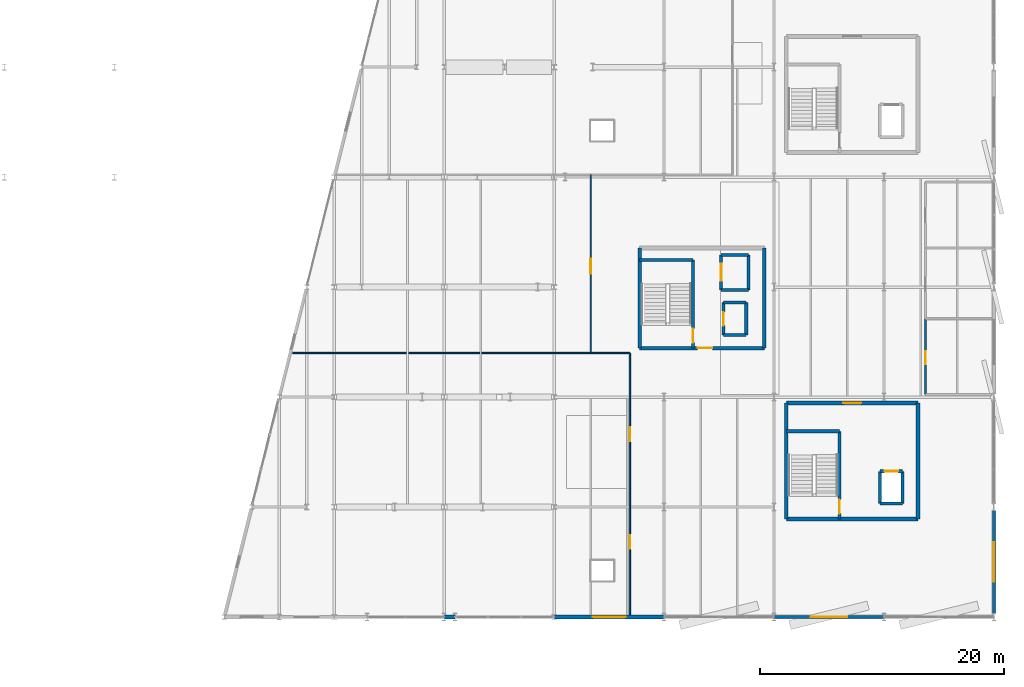
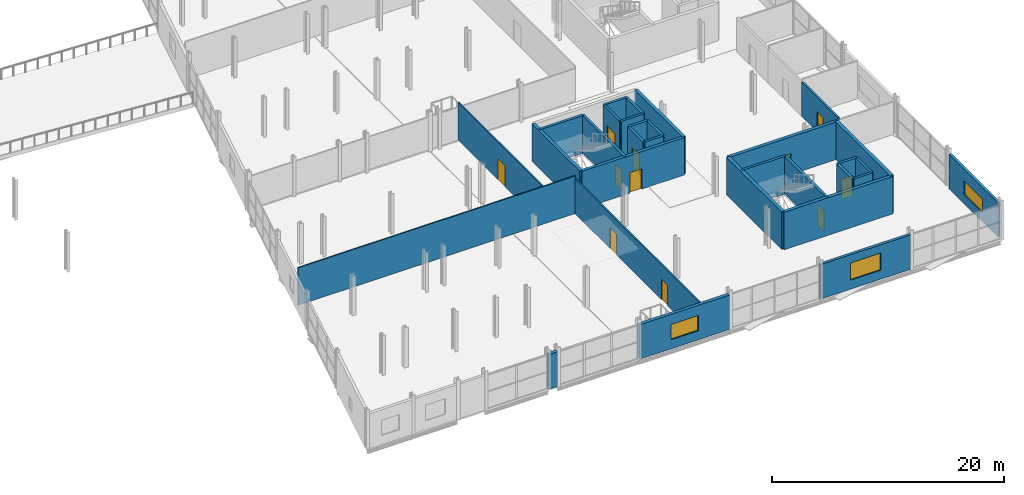
# One storey, part 116 of 135: 31 walls, 11 doors, 3 windows, 14 openings.
"""IFC4 building model written with IfcOpenShell, lengths in metres."""

import ifcopenshell
import ifcopenshell.guid

model = None  # the IFC model being written
_history = None  # IfcOwnerHistory: only IFC2X3 demands one
_inside = {}  # id of a spatial element -> (the spatial element, [elements in it])
_under = {}  # id of a project, library or spatial element -> (it, [spatial elements below it])
_declared = {}  # id of a project -> (the project, [libraries it declares])
_typed = {}  # id of a type object -> (the type object, [elements of that type])
_made_of = {}  # id of a material, layer set ... -> (it, [elements and type objects made of it])


def new_model(schema):
    """Start an empty IFC model of exactly this schema.

    Asked for "IFC4X3", IfcOpenShell would pick the latest addendum, in which some entities
    have other attributes; the version numbers below select the first issue.
    IFC2X3 requires an IfcOwnerHistory on every rooted entity: one is made here for all.
    """
    global model, _history
    if schema == "IFC4X3":
        model = ifcopenshell.file(schema_version=(4, 3, 0, 0))
    else:
        model = ifcopenshell.file(schema=schema)
    _inside.clear()
    _under.clear()
    _declared.clear()
    _typed.clear()
    _made_of.clear()
    _history = None
    if model.schema == "IFC2X3":
        org = make("IfcOrganization", Name="unknown")
        user = make(
            "IfcPersonAndOrganization",
            ThePerson=make("IfcPerson", FamilyName="unknown"),
            TheOrganization=org,
        )
        app = make(
            "IfcApplication",
            ApplicationDeveloper=org,
            Version="unknown",
            ApplicationFullName="unknown",
            ApplicationIdentifier="unknown",
        )
        _history = make(
            "IfcOwnerHistory",
            OwningUser=user,
            OwningApplication=app,
            ChangeAction="ADDED",
            CreationDate=0,
        )
    return model


def make(cls, **values):
    """One entity of the class cls with the attributes given. An attribute that is None is left unset."""
    return model.create_entity(
        cls, **{name: value for name, value in values.items() if value is not None}
    )


def rooted(cls, **values):
    """An entity with a GlobalId (a new one), such as an element, a storey or a relation."""
    return make(cls, GlobalId=ifcopenshell.guid.new(), OwnerHistory=_history, **values)


def si_unit(unit_type, name, prefix=None):
    """IfcSIUnit, for example si_unit("LENGTHUNIT", "METRE", prefix="MILLI")."""
    return make("IfcSIUnit", UnitType=unit_type, Prefix=prefix, Name=name)


def assignment(units):
    """IfcUnitAssignment: the units of a project."""
    return None if units is None else make("IfcUnitAssignment", Units=units)


def point(xyz):
    """IfcCartesianPoint."""
    return None if xyz is None else make("IfcCartesianPoint", Coordinates=xyz)


def direction(xyz):
    """IfcDirection."""
    return None if xyz is None else make("IfcDirection", DirectionRatios=xyz)


def frame(location, z_axis=None, x_axis=None):
    """IfcAxis2Placement3D, a coordinate frame: its origin and axes. An axis left out is left unset."""
    return make(
        "IfcAxis2Placement3D",
        Location=point(location),
        Axis=direction(z_axis),
        RefDirection=direction(x_axis),
    )


def frame_2d(location, x_axis=None):
    """IfcAxis2Placement2D, a coordinate frame in the plane: its origin and x axis."""
    return make(
        "IfcAxis2Placement2D", Location=point(location), RefDirection=direction(x_axis)
    )


def origin():
    """The frame at (0, 0, 0) with its axes left unset."""
    return frame((0.0, 0.0, 0.0))


def place(relative_to, where):
    """IfcLocalPlacement: puts the frame where relative to a parent placement (None: the world)."""
    return make(
        "IfcLocalPlacement", PlacementRelTo=relative_to, RelativePlacement=where
    )


def context(
    kind, dimensions, precision=None, world=None, true_north=None, identifier=None
):
    """IfcGeometricRepresentationContext, for example the 3D "Model" context."""
    return make(
        "IfcGeometricRepresentationContext",
        ContextIdentifier=identifier,
        ContextType=kind,
        CoordinateSpaceDimension=dimensions,
        Precision=precision,
        WorldCoordinateSystem=world,
        TrueNorth=true_north,
    )


def subcontext(parent, identifier, kind, view, scale=None):
    """IfcGeometricRepresentationSubContext, for example "Body" below "Model"."""
    return make(
        "IfcGeometricRepresentationSubContext",
        ContextIdentifier=identifier,
        ContextType=kind,
        ParentContext=parent,
        TargetScale=scale,
        TargetView=view,
    )


def project(units=None, contexts=None):
    """IfcProject with its units and contexts."""
    return rooted(
        "IfcProject",
        Name="project",
        RepresentationContexts=contexts,
        UnitsInContext=assignment(units),
    )


def spatial(cls, under=None, at=None, **own):
    """A site, building, storey or space (cls), placed at a placement, below another one or the project."""
    s = rooted(cls, ObjectPlacement=at, **own)
    if under is not None:
        _under.setdefault(under.id(), (under, []))[1].append(s)
    return s


def profile(cls, at=None, kind="AREA", **sizes):
    """A parametric profile (cls). Its sizes go by their IFC names, for example OverallWidth=200.0."""
    return make(cls, ProfileType=kind, Position=at, **sizes)


def rectangle(**sizes):
    """IfcRectangleProfileDef."""
    return profile("IfcRectangleProfileDef", **sizes)


def extrude(swept, where, along, depth):
    """IfcExtrudedAreaSolid: the profile swept, set in the frame where, extruded along a direction by depth."""
    return make(
        "IfcExtrudedAreaSolid",
        SweptArea=swept,
        Position=where,
        ExtrudedDirection=direction(along),
        Depth=depth,
    )


def shape(context_of_items, identifier, shape_type, items):
    """IfcShapeRepresentation: the items that make up one representation, for example the "Body"."""
    return make(
        "IfcShapeRepresentation",
        ContextOfItems=context_of_items,
        RepresentationIdentifier=identifier,
        RepresentationType=shape_type,
        Items=items,
    )


def material(Name=None, Category=None):
    """IfcMaterial."""
    return make("IfcMaterial", Name=Name, Category=Category)


def layer(
    of_material, thickness, ventilated=None, Name=None, Category=None, Priority=None
):
    """IfcMaterialLayer: one layer of a wall or slab, of a material (None: an air gap)."""
    return make(
        "IfcMaterialLayer",
        Material=of_material,
        LayerThickness=thickness,
        IsVentilated=ventilated,
        Name=Name,
        Category=Category,
        Priority=Priority,
    )


def layer_set(layers, Name=None):
    """IfcMaterialLayerSet."""
    return make("IfcMaterialLayerSet", MaterialLayers=layers, LayerSetName=Name)


def made_of(thing, what):
    """Note that an element or type object is made of a material, layer set ...; save() writes the relation."""
    if what is not None:
        _made_of.setdefault(what.id(), (what, []))[1].append(thing)
    return thing


def type_object(cls, material=None, **own):
    """A type object (cls), such as IfcWallType, which elements share."""
    return made_of(rooted(cls, **own), material)


def element(
    cls,
    number,
    at=None,
    inside=None,
    cuts=None,
    type_object=None,
    material=None,
    context=None,
    identifier="Body",
    shape_type=None,
    held_by="IfcProductDefinitionShape",
    body=None,
    shapes=None,
    **own,
):
    """One element of the class cls, such as IfcWall. Its Tag is "e" and its number.

    at: its placement. inside: the storey or other place that contains it. cuts: it is an
    opening in that element (IfcRelVoidsElement). A single representation is given by context,
    identifier, shape_type and body (its items); several are given by shapes. held_by: the class
    of the entity that holds the representations. save() writes the other relations.
    """
    e = rooted(cls, Tag="e%d" % number, ObjectPlacement=at, **own)
    if body is not None:
        shapes = [shape(context, identifier, shape_type, body)]
    if shapes is not None:
        e.Representation = make(held_by, Representations=shapes)
    if inside is not None:
        _inside.setdefault(inside.id(), (inside, []))[1].append(e)
    if cuts is not None:
        rooted(
            "IfcRelVoidsElement", RelatingBuildingElement=cuts, RelatedOpeningElement=e
        )
    if type_object is not None:
        _typed.setdefault(type_object.id(), (type_object, []))[1].append(e)
    return made_of(e, material)


def fill(opening, filler):
    """IfcRelFillsElement: the door or window that sits in an opening."""
    return rooted(
        "IfcRelFillsElement",
        RelatingOpeningElement=opening,
        RelatedBuildingElement=filler,
    )


def aggregate(whole, parts):
    """IfcRelAggregates: a whole, such as a stair, and the parts it consists of."""
    return rooted("IfcRelAggregates", RelatingObject=whole, RelatedObjects=parts)


def save(model, path):
    """Write the relations noted so far, then the file.

    IfcRelAggregates (storeys below a building ...), IfcRelContainedInSpatialStructure (elements
    in a storey), IfcRelDefinesByType, IfcRelAssociatesMaterial and IfcRelDeclares: one each for
    every whole, place, type object, material and project.
    """
    for whole, parts in _under.values():
        aggregate(whole, parts)
    for where, things in _inside.values():
        rooted(
            "IfcRelContainedInSpatialStructure",
            RelatedElements=things,
            RelatingStructure=where,
        )
    for kind, things in _typed.values():
        rooted("IfcRelDefinesByType", RelatedObjects=things, RelatingType=kind)
    for what, things in _made_of.values():
        rooted("IfcRelAssociatesMaterial", RelatedObjects=things, RelatingMaterial=what)
    for by, libraries in _declared.values():
        rooted("IfcRelDeclares", RelatingContext=by, RelatedDefinitions=libraries)
    model.write(path)


model = new_model("IFC4")

# Units and contexts
model_context = context("Model", 3, precision=1e-05, world=origin(), true_north=direction((0.0, 1.0)))
body_context = subcontext(model_context, "Body", "Model", "MODEL_VIEW")
ifc_project = project(units=[si_unit("LENGTHUNIT", "METRE"), si_unit("AREAUNIT", "SQUARE_METRE"), si_unit("VOLUMEUNIT", "CUBIC_METRE"), si_unit("PLANEANGLEUNIT", "RADIAN"), si_unit("MASSUNIT", "GRAM", prefix="KILO")], contexts=[model_context])

# Site, building, storey
site_placement = place(None, origin())
site = spatial("IfcSite", under=ifc_project, at=site_placement, CompositionType="ELEMENT")
building_placement = place(site_placement, origin())
building = spatial("IfcBuilding", under=site, at=building_placement, Name="Deido Ridge Mobility Hub", CompositionType="ELEMENT")
storey_placement = place(building_placement, frame((0.0, 0.0, 4.199951171875)))
storey = spatial("IfcBuildingStorey", under=building, at=storey_placement, Name="L01", CompositionType="ELEMENT", Elevation=4.199951171875)

# Wall, opening, window
ifc_material_1 = material(Name="Concrete blockwork masonry", Category="masonry")
ifc_layer_1 = layer(ifc_material_1, 0.2451171875, Name="Concrete blockwork masonry")
ifc_layer_set_1 = layer_set([ifc_layer_1], Name="Concrete blockwork masonry")
wall_type_1 = type_object("IfcWallType", Name="WL-EXT-BLK-245", PredefinedType="STANDARD", material=ifc_layer_set_1)
wall_1_placement = place(storey_placement, frame((180.0, 0.300048828125, 0.0), z_axis=(0.0, 0.0, 1.0), x_axis=(0.0, 1.0, 0.0)))
wall_1 = element("IfcWall", 1, at=wall_1_placement, inside=storey, type_object=wall_type_1, Name="Exterior wall EW4", PredefinedType="STANDARD", context=body_context, shape_type="SweptSolid", body=[
    extrude(rectangle(XDim=8.39990234375, YDim=0.2451171875, at=frame_2d((4.199951171875, 0.0))), origin(), (0.0, 0.0, 1.0), 3.6201171875),
])
opening_1_placement = place(wall_1_placement, frame((2.60009765625, 0.0, 0.949951171875)))
opening_1 = element("IfcOpeningElement", 2, at=opening_1_placement, cuts=wall_1, Name="Opening W16", PredefinedType="OPENING", context=body_context, shape_type="SweptSolid", body=[
    extrude(rectangle(XDim=3.199951171875, YDim=1.449951171875, at=frame_2d((1.60009765625, 0.72509765625))), frame((0.0, 0.132568359375, 0.0), z_axis=(0.0, -1.0, 0.0), x_axis=(1.0, 0.0, 0.0)), (0.0, 0.0, 1.0), 0.26513671875),
])
ifc_material_2 = material(Name="Laminated solar-control low-E glass", Category="glass")
window_type_1 = type_object("IfcWindowType", Name="WN-ALU-3200X1450", PartitioningType="DOUBLE_PANEL_VERTICAL", PredefinedType="WINDOW", material=ifc_material_2)
window_1_placement = place(opening_1_placement, origin())
window_1 = element("IfcWindow", 3, at=window_1_placement, inside=storey, type_object=window_type_1, Name="Exterior window W16", OverallHeight=1.449951171875, OverallWidth=3.199951171875, PartitioningType="SINGLE_PANEL", PredefinedType="WINDOW", context=body_context, shape_type="SweptSolid", body=[
    extrude(rectangle(XDim=3.199951171875, YDim=1.449951171875, at=frame_2d((1.60009765625, 0.72509765625))), frame((0.0, 0.030029296875, 0.0), z_axis=(0.0, -1.0, 0.0), x_axis=(1.0, 0.0, 0.0)), (0.0, 0.0, 1.0), 0.06005859375),
])
fill(opening_1, window_1)

ifc_layer_2 = layer(ifc_material_1, 0.264892578125, Name="Concrete blockwork masonry")
ifc_layer_set_2 = layer_set([ifc_layer_2], Name="Concrete blockwork masonry")
wall_type_2 = type_object("IfcWallType", Name="WL-EXT-BLK-265", PredefinedType="STANDARD", material=ifc_layer_set_2)
wall_2_placement = place(storey_placement, frame((162.0078125, 0.0, 0.0), z_axis=(0.0, 0.0, 1.0), x_axis=(1.0, 0.0, 0.0)))
wall_2 = element("IfcWall", 4, at=wall_2_placement, inside=storey, type_object=wall_type_2, Name="Exterior wall EW3", PredefinedType="STANDARD", context=body_context, shape_type="SweptSolid", body=[
    extrude(rectangle(XDim=8.984375, YDim=0.264892578125, at=frame_2d((4.4921875, 0.0))), origin(), (0.0, 0.0, 1.0), 3.6201171875),
])
opening_2_placement = place(wall_2_placement, frame((2.9921875, 0.0, 0.949951171875)))
opening_2 = element("IfcOpeningElement", 5, at=opening_2_placement, cuts=wall_2, Name="Opening W15", PredefinedType="OPENING", context=body_context, shape_type="SweptSolid", body=[
    extrude(rectangle(XDim=3.0, YDim=1.800048828125, at=frame_2d((1.5, 0.89990234375))), frame((0.0, 0.142578125, 0.0), z_axis=(0.0, -1.0, 0.0), x_axis=(1.0, 0.0, 0.0)), (0.0, 0.0, 1.0), 0.284912109375),
])
window_type_2 = type_object("IfcWindowType", Name="WN-ALU-3000X1800", PartitioningType="DOUBLE_PANEL_VERTICAL", PredefinedType="WINDOW", material=ifc_material_2)
window_2_placement = place(opening_2_placement, origin())
window_2 = element("IfcWindow", 6, at=window_2_placement, inside=storey, type_object=window_type_2, Name="Exterior window W15", OverallHeight=1.800048828125, OverallWidth=3.0, PartitioningType="SINGLE_PANEL", PredefinedType="WINDOW", context=body_context, shape_type="SweptSolid", body=[
    extrude(rectangle(XDim=3.0, YDim=1.800048828125, at=frame_2d((1.5, 0.89990234375))), frame((0.0, 0.030029296875, 0.0), z_axis=(0.0, -1.0, 0.0), x_axis=(1.0, 0.0, 0.0)), (0.0, 0.0, 1.0), 0.06005859375),
])
fill(opening_2, window_2)

ifc_material_3 = material(Name="Fired clay brick masonry", Category="masonry")
ifc_layer_3 = layer(ifc_material_3, 0.31005859375, Name="Fired clay brick masonry")
ifc_layer_set_3 = layer_set([ifc_layer_3], Name="Fired clay brick masonry")
wall_type_3 = type_object("IfcWallType", Name="WL-EXT-BRK-310", PredefinedType="STANDARD", material=ifc_layer_set_3)
wall_3_placement = place(storey_placement, frame((144.0087890625, 0.0, 0.0), z_axis=(0.0, 0.0, 1.0), x_axis=(1.0, 0.0, 0.0)))
wall_3 = element("IfcWall", 7, at=wall_3_placement, inside=storey, type_object=wall_type_3, Name="Exterior wall EW1", PredefinedType="STANDARD", context=body_context, shape_type="SweptSolid", body=[
    extrude(rectangle(XDim=8.9833984375, YDim=0.31005859375, at=frame_2d((4.49169921875, 0.0))), origin(), (0.0, 0.0, 1.0), 3.6201171875),
])
opening_3_placement = place(wall_3_placement, frame((3.141845703125, 0.0, 0.949951171875)))
opening_3 = element("IfcOpeningElement", 8, at=opening_3_placement, cuts=wall_3, Name="Opening W13", PredefinedType="OPENING", context=body_context, shape_type="SweptSolid", body=[
    extrude(rectangle(XDim=2.699951171875, YDim=1.60009765625, at=frame_2d((1.35009765625, 0.800048828125))), frame((0.0, 0.1650390625, 0.0), z_axis=(0.0, -1.0, 0.0), x_axis=(1.0, 0.0, 0.0)), (0.0, 0.0, 1.0), 0.330078125),
])
window_type_3 = type_object("IfcWindowType", Name="WN-ALU-2700X1600", PartitioningType="DOUBLE_PANEL_VERTICAL", PredefinedType="WINDOW", material=ifc_material_2)
window_3_placement = place(opening_3_placement, origin())
window_3 = element("IfcWindow", 9, at=window_3_placement, inside=storey, type_object=window_type_3, Name="Exterior window W13", OverallHeight=1.60009765625, OverallWidth=2.699951171875, PartitioningType="SINGLE_PANEL", PredefinedType="WINDOW", context=body_context, shape_type="SweptSolid", body=[
    extrude(rectangle(XDim=2.699951171875, YDim=1.60009765625, at=frame_2d((1.35009765625, 0.800048828125))), frame((0.0, 0.030029296875, 0.0), z_axis=(0.0, -1.0, 0.0), x_axis=(1.0, 0.0, 0.0)), (0.0, 0.0, 1.0), 0.06005859375),
])
fill(opening_3, window_3)

# Walls
ifc_material_4 = material(Name="Concrete C35/45", Category="concrete")
ifc_layer_4 = layer(ifc_material_4, 0.340087890625, Name="Concrete C35/45")
ifc_layer_set_4 = layer_set([ifc_layer_4], Name="Concrete C35/45")
wall_type_4 = type_object("IfcWallType", Name="WL-EXT-RC-340", PredefinedType="STANDARD", material=ifc_layer_set_4)
wall_4_placement = place(storey_placement, frame((135.0078125, 0.0, 0.0), z_axis=(0.0, 0.0, 1.0), x_axis=(1.0, 0.0, 0.0)))
element("IfcWall", 10, at=wall_4_placement, inside=storey, type_object=wall_type_4, Name="Exterior wall EW5", PredefinedType="STANDARD", context=body_context, shape_type="SweptSolid", body=[
    extrude(rectangle(XDim=0.884521484375, YDim=0.340087890625, at=frame_2d((0.4423828125, 0.0))), origin(), (0.0, 0.0, 1.0), 3.650146484375),
])
ifc_layer_5 = layer(ifc_material_1, 0.110107421875, Name="Concrete blockwork masonry")
ifc_layer_set_5 = layer_set([ifc_layer_5], Name="Concrete blockwork masonry")
wall_type_5 = type_object("IfcWallType", Name="WL-PRT-BLK-110", PredefinedType="PARTITIONING", material=ifc_layer_set_5)
wall_5_placement = place(storey_placement, frame((122.60009765625, 21.60009765625, 0.0), z_axis=(0.0, 0.0, 1.0), x_axis=(1.0, 0.0, 0.0)))
element("IfcWall", 11, at=wall_5_placement, inside=storey, type_object=wall_type_5, Name="V6 south-central cross wall (L01)", PredefinedType="PARTITIONING", context=body_context, shape_type="SweptSolid", body=[
    extrude(rectangle(XDim=27.599853515625, YDim=0.110107421875, at=frame_2d((13.7998046875, 0.0))), origin(), (0.0, 0.0, 1.0), 3.945068359375),
])

# Wall, opening, door
ifc_layer_6 = layer(ifc_material_1, 0.1201171875, Name="Concrete blockwork masonry")
ifc_layer_set_6 = layer_set([ifc_layer_6], Name="Concrete blockwork masonry")
wall_type_6 = type_object("IfcWallType", Name="WL-PRT-BLK-120", PredefinedType="PARTITIONING", material=ifc_layer_set_6)
wall_6_placement = place(storey_placement, frame((147.0, 21.60009765625, 0.0), z_axis=(0.0, 0.0, 1.0), x_axis=(0.0, 1.0, 0.0)))
wall_6 = element("IfcWall", 12, at=wall_6_placement, inside=storey, type_object=wall_type_6, Name="V6 central room wall (L01)", PredefinedType="PARTITIONING", context=body_context, shape_type="SweptSolid", body=[
    extrude(rectangle(XDim=14.599853515625, YDim=0.1201171875, at=frame_2d((7.2998046875, 0.0))), origin(), (0.0, 0.0, 1.0), 3.945068359375),
])
opening_4_placement = place(wall_6_placement, frame((6.5, 0.0, 0.0)))
opening_4 = element("IfcOpeningElement", 13, at=opening_4_placement, cuts=wall_6, Name="Opening DR-L01-154", PredefinedType="OPENING", context=body_context, shape_type="SweptSolid", body=[
    extrude(rectangle(XDim=1.219970703125, YDim=2.179931640625, at=frame_2d((0.60986328125, 1.08984375))), frame((0.0, 0.070068359375, 0.0), z_axis=(0.0, -1.0, 0.0), x_axis=(1.0, 0.0, 0.0)), (0.0, 0.0, 1.0), 0.14013671875),
])
ifc_material_5 = material(Name="Treated tropical hardwood timber D40", Category="wood")
door_type_1 = type_object("IfcDoorType", Name="DR-INT-1220X2180", OperationType="NOTDEFINED", PredefinedType="DOOR", material=ifc_material_5)
door_1_placement = place(opening_4_placement, origin())
door_1 = element("IfcDoor", 14, at=door_1_placement, inside=storey, type_object=door_type_1, Name="DR-I0154 V6 central room door (L01)", OperationType="SINGLE_SWING_LEFT", OverallHeight=2.179931640625, OverallWidth=1.219970703125, PredefinedType="DOOR", context=body_context, shape_type="SweptSolid", body=[
    extrude(rectangle(XDim=1.219970703125, YDim=2.179931640625, at=frame_2d((0.60986328125, 1.08984375))), frame((0.0, 0.02490234375, 0.0), z_axis=(0.0, -1.0, 0.0), x_axis=(1.0, 0.0, 0.0)), (0.0, 0.0, 1.0), 0.050048828125),
])
fill(opening_4, door_1)

# Wall, openings, doors
ifc_layer_7 = layer(ifc_material_1, 0.139892578125, Name="Concrete blockwork masonry")
ifc_layer_set_7 = layer_set([ifc_layer_7], Name="Concrete blockwork masonry")
wall_type_7 = type_object("IfcWallType", Name="WL-PRT-BLK-140", PredefinedType="PARTITIONING", material=ifc_layer_set_7)
wall_7_placement = place(storey_placement, frame((150.199951171875, 0.199951171875, 0.0), z_axis=(0.0, 0.0, 1.0), x_axis=(0.0, 1.0, 0.0)))
wall_7 = element("IfcWall", 15, at=wall_7_placement, inside=storey, type_object=wall_type_7, Name="V6 south-west suite wall (L01)", PredefinedType="PARTITIONING", context=body_context, shape_type="SweptSolid", body=[
    extrude(rectangle(XDim=21.400146484375, YDim=0.139892578125, at=frame_2d((10.7001953125, 0.0))), origin(), (0.0, 0.0, 1.0), 3.650146484375),
])
opening_5_placement = place(wall_7_placement, frame((5.39990234375, 0.0, 0.0)))
opening_5 = element("IfcOpeningElement", 16, at=opening_5_placement, cuts=wall_7, Name="Opening DR-L01-152", PredefinedType="OPENING", context=body_context, shape_type="SweptSolid", body=[
    extrude(rectangle(XDim=1.080078125, YDim=2.1201171875, at=frame_2d((0.5400390625, 1.06005859375))), frame((0.0, 0.080078125, 0.0), z_axis=(0.0, -1.0, 0.0), x_axis=(1.0, 0.0, 0.0)), (0.0, 0.0, 1.0), 0.159912109375),
])
opening_6_placement = place(wall_7_placement, frame((14.199951171875, 0.0, 0.0)))
opening_6 = element("IfcOpeningElement", 17, at=opening_6_placement, cuts=wall_7, Name="Opening DR-L01-153", PredefinedType="OPENING", context=body_context, shape_type="SweptSolid", body=[
    extrude(rectangle(XDim=1.1201171875, YDim=2.14990234375, at=frame_2d((0.56005859375, 1.074951171875))), frame((0.0, 0.080078125, 0.0), z_axis=(0.0, -1.0, 0.0), x_axis=(1.0, 0.0, 0.0)), (0.0, 0.0, 1.0), 0.159912109375),
])
door_type_2 = type_object("IfcDoorType", Name="DR-INT-1080X2120", OperationType="NOTDEFINED", PredefinedType="DOOR", material=ifc_material_5)
door_2_placement = place(opening_5_placement, origin())
door_2 = element("IfcDoor", 18, at=door_2_placement, inside=storey, type_object=door_type_2, Name="DR-I0152 V6 south-west suite door 1 (L01)", OperationType="SINGLE_SWING_LEFT", OverallHeight=2.1201171875, OverallWidth=1.080078125, PredefinedType="DOOR", context=body_context, shape_type="SweptSolid", body=[
    extrude(rectangle(XDim=1.080078125, YDim=2.1201171875, at=frame_2d((0.5400390625, 1.06005859375))), frame((0.0, 0.02490234375, 0.0), z_axis=(0.0, -1.0, 0.0), x_axis=(1.0, 0.0, 0.0)), (0.0, 0.0, 1.0), 0.050048828125),
])
fill(opening_5, door_2)
door_type_3 = type_object("IfcDoorType", Name="DR-INT-1120X2150", OperationType="NOTDEFINED", PredefinedType="DOOR", material=ifc_material_5)
door_3_placement = place(opening_6_placement, origin())
door_3 = element("IfcDoor", 19, at=door_3_placement, inside=storey, type_object=door_type_3, Name="DR-I0153 V6 south-west suite door 2 (L01)", OperationType="SINGLE_SWING_RIGHT", OverallHeight=2.14990234375, OverallWidth=1.1201171875, PredefinedType="DOOR", context=body_context, shape_type="SweptSolid", body=[
    extrude(rectangle(XDim=1.1201171875, YDim=2.14990234375, at=frame_2d((0.56005859375, 1.074951171875))), frame((0.0, 0.02490234375, 0.0), z_axis=(0.0, -1.0, 0.0), x_axis=(1.0, 0.0, 0.0)), (0.0, 0.0, 1.0), 0.050048828125),
])
fill(opening_6, door_3)

# Wall, opening, door
ifc_layer_8 = layer(ifc_material_1, 0.179931640625, Name="Concrete blockwork masonry")
ifc_layer_set_8 = layer_set([ifc_layer_8], Name="Concrete blockwork masonry")
wall_type_8 = type_object("IfcWallType", Name="WL-PRT-BLK-180", PredefinedType="PARTITIONING", material=ifc_layer_set_8)
wall_8_placement = place(storey_placement, frame((174.39990234375, 18.199951171875, 0.0), z_axis=(0.0, 0.0, 1.0), x_axis=(0.0, 1.0, 0.0)))
wall_8 = element("IfcWall", 20, at=wall_8_placement, inside=storey, type_object=wall_type_8, Name="Male WC west wall (L01)", PredefinedType="PARTITIONING", context=body_context, shape_type="SweptSolid", body=[
    extrude(rectangle(XDim=6.199951171875, YDim=0.179931640625, at=frame_2d((3.10009765625, 0.0))), origin(), (0.0, 0.0, 1.0), 3.6201171875),
])
opening_7_placement = place(wall_8_placement, frame((2.5, 0.0, 0.0)))
opening_7 = element("IfcOpeningElement", 21, at=opening_7_placement, cuts=wall_8, Name="Opening DR-L01-149", PredefinedType="OPENING", context=body_context, shape_type="SweptSolid", body=[
    extrude(rectangle(XDim=1.050048828125, YDim=2.10009765625, at=frame_2d((0.52490234375, 1.050048828125))), frame((0.0, 0.10009765625, 0.0), z_axis=(0.0, -1.0, 0.0), x_axis=(1.0, 0.0, 0.0)), (0.0, 0.0, 1.0), 0.199951171875),
])
ifc_material_6 = material(Name="Galvanised steel work", Category="steel")
door_type_4 = type_object("IfcDoorType", Name="DR-FD60-1050X2100", OperationType="NOTDEFINED", PredefinedType="DOOR", material=ifc_material_6)
door_4_placement = place(opening_7_placement, origin())
door_4 = element("IfcDoor", 22, at=door_4_placement, inside=storey, type_object=door_type_4, Name="DR-I0149 Male WC door (L01)", OperationType="SINGLE_SWING_RIGHT", OverallHeight=2.10009765625, OverallWidth=1.050048828125, PredefinedType="DOOR", context=body_context, shape_type="SweptSolid", body=[
    extrude(rectangle(XDim=1.050048828125, YDim=2.10009765625, at=frame_2d((0.52490234375, 1.050048828125))), frame((0.0, 0.02490234375, 0.0), z_axis=(0.0, -1.0, 0.0), x_axis=(1.0, 0.0, 0.0)), (0.0, 0.0, 1.0), 0.050048828125),
])
fill(opening_7, door_4)

ifc_material_7 = material(Name="Concrete C40/50", Category="concrete")
ifc_layer_9 = layer(ifc_material_7, 0.25, Name="Concrete C40/50")
ifc_layer_set_9 = layer_set([ifc_layer_9], Name="Concrete C40/50")
wall_type_9 = type_object("IfcWallType", Name="WL-SHR-RC-250", PredefinedType="SHEAR", material=ifc_layer_set_9)
wall_9_placement = place(storey_placement, frame((167.360107421875, 8.0, 0.0), z_axis=(0.0, 0.0, 1.0), x_axis=(0.0, 1.0, 0.0)))
wall_9 = element("IfcWall", 23, at=wall_9_placement, inside=storey, type_object=wall_type_9, Name="C1 stair shaft east wall", PredefinedType="SHEAR", context=body_context, shape_type="SweptSolid", body=[
    extrude(rectangle(XDim=7.199951171875, YDim=0.25, at=frame_2d((3.60009765625, 0.0))), origin(), (0.0, 0.0, 1.0), 3.945068359375),
])
opening_8_placement = place(wall_9_placement, frame((0.449951171875, 0.0, 0.0)))
opening_8 = element("IfcOpeningElement", 24, at=opening_8_placement, cuts=wall_9, Name="Opening FD-C1-L01", PredefinedType="OPENING", context=body_context, shape_type="SweptSolid", body=[
    extrude(rectangle(XDim=1.14990234375, YDim=2.14990234375, at=frame_2d((0.574951171875, 1.074951171875))), frame((0.0, 0.135009765625, 0.0), z_axis=(0.0, -1.0, 0.0), x_axis=(1.0, 0.0, 0.0)), (0.0, 0.0, 1.0), 0.27001953125),
])
door_type_5 = type_object("IfcDoorType", Name="DR-FD60-1150X2150", OperationType="NOTDEFINED", PredefinedType="DOOR", material=ifc_material_6)
door_5_placement = place(opening_8_placement, origin())
door_5 = element("IfcDoor", 25, at=door_5_placement, inside=storey, type_object=door_type_5, Name="DR-I0007 C1 protected stair door (L01)", OperationType="SINGLE_SWING_LEFT", OverallHeight=2.14990234375, OverallWidth=1.14990234375, PredefinedType="DOOR", context=body_context, shape_type="SweptSolid", body=[
    extrude(rectangle(XDim=1.14990234375, YDim=2.14990234375, at=frame_2d((0.574951171875, 1.074951171875))), frame((0.0, 0.02490234375, 0.0), z_axis=(0.0, -1.0, 0.0), x_axis=(1.0, 0.0, 0.0)), (0.0, 0.0, 1.0), 0.050048828125),
])
fill(opening_8, door_5)

# Walls
wall_10_placement = place(storey_placement, frame((163.0, 15.199951171875, 0.0), z_axis=(0.0, 0.0, 1.0), x_axis=(1.0, 0.0, 0.0)))
element("IfcWall", 26, at=wall_10_placement, inside=storey, type_object=wall_type_9, Name="C1 stair shaft north wall", PredefinedType="SHEAR", context=body_context, shape_type="SweptSolid", body=[
    extrude(rectangle(XDim=4.360107421875, YDim=0.25, at=frame_2d((2.18017578125, 0.0))), origin(), (0.0, 0.0, 1.0), 3.945068359375),
])
wall_11_placement = place(storey_placement, frame((170.675048828125, 9.27490234375, 0.0), z_axis=(0.0, 0.0, 1.0), x_axis=(1.0, 0.0, 0.0)))
element("IfcWall", 27, at=wall_11_placement, inside=storey, type_object=wall_type_9, Name="Lift FL1 rear shaft wall", PredefinedType="SHEAR", context=body_context, shape_type="SweptSolid", body=[
    extrude(rectangle(XDim=1.849853515625, YDim=0.25, at=frame_2d((0.9248046875, 0.0))), origin(), (0.0, 0.0, 1.0), 3.945068359375),
])
for number, where, z_axis, x_axis, name in (
    (28, (170.675048828125, 9.27490234375, 0.0), (0.0, 0.0, 1.0), (0.0, 1.0, 0.0), "Lift FL1 west shaft wall"),
    (29, (172.52490234375, 9.27490234375, 0.0), (0.0, 0.0, 1.0), (0.0, 1.0, 0.0), "Lift FL1 east shaft wall"),
):
    element("IfcWall", number, at=place(storey_placement, frame(where, z_axis=z_axis, x_axis=x_axis)), inside=storey, type_object=wall_type_9, Name=name, PredefinedType="SHEAR", context=body_context, shape_type="SweptSolid", body=[
        extrude(rectangle(XDim=2.650146484375, YDim=0.25, at=frame_2d((1.3251953125, 0.0))), origin(), (0.0, 0.0, 1.0), 3.945068359375),
    ])

# Wall, opening, door
wall_12_placement = place(storey_placement, frame((170.675048828125, 11.925048828125, 0.0), z_axis=(0.0, 0.0, 1.0), x_axis=(1.0, 0.0, 0.0)))
wall_12 = element("IfcWall", 30, at=wall_12_placement, inside=storey, type_object=wall_type_9, Name="Lift FL1 landing wall", PredefinedType="SHEAR", context=body_context, shape_type="SweptSolid", body=[
    extrude(rectangle(XDim=1.849853515625, YDim=0.25, at=frame_2d((0.9248046875, 0.0))), origin(), (0.0, 0.0, 1.0), 3.945068359375),
])
opening_9_placement = place(wall_12_placement, frame((0.375, 0.0, 0.0)))
opening_9 = element("IfcOpeningElement", 31, at=opening_9_placement, cuts=wall_12, Name="Opening LD-FL1", PredefinedType="OPENING", context=body_context, shape_type="SweptSolid", body=[
    extrude(rectangle(XDim=1.10009765625, YDim=2.14990234375, at=frame_2d((0.550048828125, 1.074951171875))), frame((0.0, 0.135009765625, 0.0), z_axis=(0.0, -1.0, 0.0), x_axis=(1.0, 0.0, 0.0)), (0.0, 0.0, 1.0), 0.27001953125),
])
ifc_material_8 = material(Name="Stainless steel 316", Category="steel")
door_type_6 = type_object("IfcDoorType", Name="DR-LND-PAS-1100X2150", OperationType="DOUBLE_DOOR_SLIDING", PredefinedType="USERDEFINED", material=ifc_material_8)
door_6_placement = place(opening_9_placement, origin())
door_6 = element("IfcDoor", 32, at=door_6_placement, inside=storey, type_object=door_type_6, Name="DR-I0009 Lift FL1 sliding landing door (L01)", ObjectType="LANDING DOOR", OperationType="DOUBLE_DOOR_SLIDING", OverallHeight=2.14990234375, OverallWidth=1.10009765625, PredefinedType="USERDEFINED", context=body_context, shape_type="SweptSolid", body=[
    extrude(rectangle(XDim=1.10009765625, YDim=2.14990234375, at=frame_2d((0.550048828125, 1.074951171875))), frame((0.0, 0.02490234375, 0.0), z_axis=(0.0, -1.0, 0.0), x_axis=(1.0, 0.0, 0.0)), (0.0, 0.0, 1.0), 0.050048828125),
])
fill(opening_9, door_6)

wall_13_placement = place(storey_placement, frame((155.360107421875, 22.0, 0.0), z_axis=(0.0, 0.0, 1.0), x_axis=(0.0, 1.0, 0.0)))
wall_13 = element("IfcWall", 33, at=wall_13_placement, inside=storey, type_object=wall_type_9, Name="C3 stair shaft east wall", PredefinedType="SHEAR", context=body_context, shape_type="SweptSolid", body=[
    extrude(rectangle(XDim=7.199951171875, YDim=0.25, at=frame_2d((3.60009765625, 0.0))), origin(), (0.0, 0.0, 1.0), 3.945068359375),
])
opening_10_placement = place(wall_13_placement, frame((0.449951171875, 0.0, 0.0)))
opening_10 = element("IfcOpeningElement", 34, at=opening_10_placement, cuts=wall_13, Name="Opening FD-C3-L01", PredefinedType="OPENING", context=body_context, shape_type="SweptSolid", body=[
    extrude(rectangle(XDim=1.14990234375, YDim=2.14990234375, at=frame_2d((0.574951171875, 1.074951171875))), frame((0.0, 0.135009765625, 0.0), z_axis=(0.0, -1.0, 0.0), x_axis=(1.0, 0.0, 0.0)), (0.0, 0.0, 1.0), 0.27001953125),
])
door_7_placement = place(opening_10_placement, origin())
door_7 = element("IfcDoor", 35, at=door_7_placement, inside=storey, type_object=door_type_5, Name="DR-I0057 C3 protected stair door (L01)", OperationType="SINGLE_SWING_LEFT", OverallHeight=2.14990234375, OverallWidth=1.14990234375, PredefinedType="DOOR", context=body_context, shape_type="SweptSolid", body=[
    extrude(rectangle(XDim=1.14990234375, YDim=2.14990234375, at=frame_2d((0.574951171875, 1.074951171875))), frame((0.0, 0.02490234375, 0.0), z_axis=(0.0, -1.0, 0.0), x_axis=(1.0, 0.0, 0.0)), (0.0, 0.0, 1.0), 0.050048828125),
])
fill(opening_10, door_7)

# Walls
wall_14_placement = place(storey_placement, frame((151.0, 29.199951171875, 0.0), z_axis=(0.0, 0.0, 1.0), x_axis=(1.0, 0.0, 0.0)))
element("IfcWall", 36, at=wall_14_placement, inside=storey, type_object=wall_type_9, Name="C3 stair shaft north wall", PredefinedType="SHEAR", context=body_context, shape_type="SweptSolid", body=[
    extrude(rectangle(XDim=4.360107421875, YDim=0.25, at=frame_2d((2.18017578125, 0.0))), origin(), (0.0, 0.0, 1.0), 3.945068359375),
])
for number, where, z_axis, x_axis, name in (
    (37, (157.875, 23.074951171875, 0.0), (0.0, 0.0, 1.0), (1.0, 0.0, 0.0), "Lift PL1 south shaft wall"),
    (38, (157.875, 25.72509765625, 0.0), (0.0, 0.0, 1.0), (1.0, 0.0, 0.0), "Lift PL1 north shaft wall"),
):
    element("IfcWall", number, at=place(storey_placement, frame(where, z_axis=z_axis, x_axis=x_axis)), inside=storey, type_object=wall_type_9, Name=name, PredefinedType="SHEAR", context=body_context, shape_type="SweptSolid", body=[
        extrude(rectangle(XDim=1.85009765625, YDim=0.25, at=frame_2d((0.925048828125, 0.0))), origin(), (0.0, 0.0, 1.0), 3.945068359375),
    ])
wall_15_placement = place(storey_placement, frame((159.72509765625, 23.074951171875, 0.0), z_axis=(0.0, 0.0, 1.0), x_axis=(0.0, 1.0, 0.0)))
element("IfcWall", 39, at=wall_15_placement, inside=storey, type_object=wall_type_9, Name="Lift PL1 rear shaft wall", PredefinedType="SHEAR", context=body_context, shape_type="SweptSolid", body=[
    extrude(rectangle(XDim=2.650146484375, YDim=0.25, at=frame_2d((1.3251953125, 0.0))), origin(), (0.0, 0.0, 1.0), 3.945068359375),
])

# Wall, opening, door
wall_16_placement = place(storey_placement, frame((157.875, 23.074951171875, 0.0), z_axis=(0.0, 0.0, 1.0), x_axis=(0.0, 1.0, 0.0)))
wall_16 = element("IfcWall", 40, at=wall_16_placement, inside=storey, type_object=wall_type_9, Name="Lift PL1 landing wall", PredefinedType="SHEAR", context=body_context, shape_type="SweptSolid", body=[
    extrude(rectangle(XDim=2.650146484375, YDim=0.25, at=frame_2d((1.3251953125, 0.0))), origin(), (0.0, 0.0, 1.0), 3.945068359375),
])
opening_11_placement = place(wall_16_placement, frame((0.77490234375, 0.0, 0.0)))
opening_11 = element("IfcOpeningElement", 41, at=opening_11_placement, cuts=wall_16, Name="Opening LD-PL1", PredefinedType="OPENING", context=body_context, shape_type="SweptSolid", body=[
    extrude(rectangle(XDim=1.10009765625, YDim=2.14990234375, at=frame_2d((0.550048828125, 1.074951171875))), frame((0.0, 0.135009765625, 0.0), z_axis=(0.0, -1.0, 0.0), x_axis=(1.0, 0.0, 0.0)), (0.0, 0.0, 1.0), 0.27001953125),
])
door_8_placement = place(opening_11_placement, origin())
door_8 = element("IfcDoor", 42, at=door_8_placement, inside=storey, type_object=door_type_6, Name="DR-I0059 Lift PL1 sliding landing door (L01)", ObjectType="LANDING DOOR", OperationType="DOUBLE_DOOR_SLIDING", OverallHeight=2.14990234375, OverallWidth=1.10009765625, PredefinedType="USERDEFINED", context=body_context, shape_type="SweptSolid", body=[
    extrude(rectangle(XDim=1.10009765625, YDim=2.14990234375, at=frame_2d((0.550048828125, 1.074951171875))), frame((0.0, 0.02490234375, 0.0), z_axis=(0.0, -1.0, 0.0), x_axis=(1.0, 0.0, 0.0)), (0.0, 0.0, 1.0), 0.050048828125),
])
fill(opening_11, door_8)

# Walls
for number, where, z_axis, x_axis, name in (
    (43, (157.675048828125, 26.77490234375, 0.0), (0.0, 0.0, 1.0), (1.0, 0.0, 0.0), "Lift GL1 south shaft wall"),
    (44, (157.675048828125, 29.625, 0.0), (0.0, 0.0, 1.0), (1.0, 0.0, 0.0), "Lift GL1 north shaft wall"),
):
    element("IfcWall", number, at=place(storey_placement, frame(where, z_axis=z_axis, x_axis=x_axis)), inside=storey, type_object=wall_type_9, Name=name, PredefinedType="SHEAR", context=body_context, shape_type="SweptSolid", body=[
        extrude(rectangle(XDim=2.25, YDim=0.25, at=frame_2d((1.125, 0.0))), origin(), (0.0, 0.0, 1.0), 3.945068359375),
    ])
wall_17_placement = place(storey_placement, frame((159.925048828125, 26.77490234375, 0.0), z_axis=(0.0, 0.0, 1.0), x_axis=(0.0, 1.0, 0.0)))
element("IfcWall", 45, at=wall_17_placement, inside=storey, type_object=wall_type_9, Name="Lift GL1 rear shaft wall", PredefinedType="SHEAR", context=body_context, shape_type="SweptSolid", body=[
    extrude(rectangle(XDim=2.85009765625, YDim=0.25, at=frame_2d((1.425048828125, 0.0))), origin(), (0.0, 0.0, 1.0), 3.945068359375),
])

# Wall, opening, door
wall_18_placement = place(storey_placement, frame((157.675048828125, 26.77490234375, 0.0), z_axis=(0.0, 0.0, 1.0), x_axis=(0.0, 1.0, 0.0)))
wall_18 = element("IfcWall", 46, at=wall_18_placement, inside=storey, type_object=wall_type_9, Name="Lift GL1 landing wall", PredefinedType="SHEAR", context=body_context, shape_type="SweptSolid", body=[
    extrude(rectangle(XDim=2.85009765625, YDim=0.25, at=frame_2d((1.425048828125, 0.0))), origin(), (0.0, 0.0, 1.0), 3.945068359375),
])
opening_12_placement = place(wall_18_placement, frame((0.72509765625, 0.0, 0.0)))
opening_12 = element("IfcOpeningElement", 47, at=opening_12_placement, cuts=wall_18, Name="Opening LD-GL1", PredefinedType="OPENING", context=body_context, shape_type="SweptSolid", body=[
    extrude(rectangle(XDim=1.39990234375, YDim=2.199951171875, at=frame_2d((0.699951171875, 1.10009765625))), frame((0.0, 0.135009765625, 0.0), z_axis=(0.0, -1.0, 0.0), x_axis=(1.0, 0.0, 0.0)), (0.0, 0.0, 1.0), 0.27001953125),
])
door_type_7 = type_object("IfcDoorType", Name="DR-LND-GDS-1400X2200", OperationType="DOUBLE_DOOR_SLIDING", PredefinedType="USERDEFINED", material=ifc_material_8)
door_9_placement = place(opening_12_placement, origin())
door_9 = element("IfcDoor", 48, at=door_9_placement, inside=storey, type_object=door_type_7, Name="DR-I0060 Lift GL1 sliding landing door (L01)", ObjectType="LANDING DOOR", OperationType="DOUBLE_DOOR_SLIDING", OverallHeight=2.199951171875, OverallWidth=1.39990234375, PredefinedType="USERDEFINED", context=body_context, shape_type="SweptSolid", body=[
    extrude(rectangle(XDim=1.39990234375, YDim=2.199951171875, at=frame_2d((0.699951171875, 1.10009765625))), frame((0.0, 0.02490234375, 0.0), z_axis=(0.0, -1.0, 0.0), x_axis=(1.0, 0.0, 0.0)), (0.0, 0.0, 1.0), 0.050048828125),
])
fill(opening_12, door_9)

ifc_layer_10 = layer(ifc_material_7, 0.300048828125, Name="Concrete C40/50")
ifc_layer_set_10 = layer_set([ifc_layer_10], Name="Concrete C40/50")
wall_type_10 = type_object("IfcWallType", Name="WL-SHR-RC-300", PredefinedType="SHEAR", material=ifc_layer_set_10)
wall_19_placement = place(storey_placement, frame((151.0, 22.0, 0.0), z_axis=(0.0, 0.0, 1.0), x_axis=(1.0, 0.0, 0.0)))
wall_19 = element("IfcWall", 49, at=wall_19_placement, inside=storey, type_object=wall_type_10, Name="C3 south shear wall", PredefinedType="SHEAR", context=body_context, shape_type="SweptSolid", body=[
    extrude(rectangle(XDim=10.199951171875, YDim=0.300048828125, at=frame_2d((5.10009765625, 0.0))), origin(), (0.0, 0.0, 1.0), 3.945068359375),
])
opening_13_placement = place(wall_19_placement, frame((4.75, 0.0, 0.0)))
opening_13 = element("IfcOpeningElement", 50, at=opening_13_placement, cuts=wall_19, Name="Opening LD-C3-058", PredefinedType="OPENING", context=body_context, shape_type="SweptSolid", body=[
    extrude(rectangle(XDim=1.199951171875, YDim=2.14990234375, at=frame_2d((0.60009765625, 1.074951171875))), frame((0.0, 0.16015625, 0.0), z_axis=(0.0, -1.0, 0.0), x_axis=(1.0, 0.0, 0.0)), (0.0, 0.0, 1.0), 0.320068359375),
])
door_type_8 = type_object("IfcDoorType", Name="DR-FD60-1200X2150", OperationType="NOTDEFINED", PredefinedType="DOOR", material=ifc_material_6)
door_10_placement = place(opening_13_placement, origin())
door_10 = element("IfcDoor", 51, at=door_10_placement, inside=storey, type_object=door_type_8, Name="DR-I0058 C3 lift lobby door (L01)", OperationType="SINGLE_SWING_RIGHT", OverallHeight=2.14990234375, OverallWidth=1.199951171875, PredefinedType="DOOR", context=body_context, shape_type="SweptSolid", body=[
    extrude(rectangle(XDim=1.199951171875, YDim=2.14990234375, at=frame_2d((0.60009765625, 1.074951171875))), frame((0.0, 0.02490234375, 0.0), z_axis=(0.0, -1.0, 0.0), x_axis=(1.0, 0.0, 0.0)), (0.0, 0.0, 1.0), 0.050048828125),
])
fill(opening_13, door_10)

# Walls
for number, where, z_axis, x_axis, name in (
    (52, (161.199951171875, 22.0, 0.0), (0.0, 0.0, 1.0), (0.0, 1.0, 0.0), "C3 east shear wall"),
    (53, (151.0, 30.199951171875, 0.0), (0.0, 0.0, 1.0), (0.0, -1.0, 0.0), "C3 west shear wall"),
):
    element("IfcWall", number, at=place(storey_placement, frame(where, z_axis=z_axis, x_axis=x_axis)), inside=storey, type_object=wall_type_10, Name=name, PredefinedType="SHEAR", context=body_context, shape_type="SweptSolid", body=[
        extrude(rectangle(XDim=8.199951171875, YDim=0.300048828125, at=frame_2d((4.10009765625, 0.0))), origin(), (0.0, 0.0, 1.0), 3.945068359375),
    ])
ifc_layer_11 = layer(ifc_material_7, 0.324951171875, Name="Concrete C40/50")
ifc_layer_set_11 = layer_set([ifc_layer_11], Name="Concrete C40/50")
wall_type_11 = type_object("IfcWallType", Name="WL-SHR-RC-325", PredefinedType="SHEAR", material=ifc_layer_set_11)
wall_20_placement = place(storey_placement, frame((163.0, 8.0, 0.0), z_axis=(0.0, 0.0, 1.0), x_axis=(1.0, 0.0, 0.0)))
element("IfcWall", 54, at=wall_20_placement, inside=storey, type_object=wall_type_11, Name="C1 south shear wall", PredefinedType="SHEAR", context=body_context, shape_type="SweptSolid", body=[
    extrude(rectangle(XDim=10.800048828125, YDim=0.324951171875, at=frame_2d((5.39990234375, 0.0))), origin(), (0.0, 0.0, 1.0), 3.945068359375),
])
wall_21_placement = place(storey_placement, frame((173.800048828125, 8.0, 0.0), z_axis=(0.0, 0.0, 1.0), x_axis=(0.0, 1.0, 0.0)))
element("IfcWall", 55, at=wall_21_placement, inside=storey, type_object=wall_type_11, Name="C1 east shear wall", PredefinedType="SHEAR", context=body_context, shape_type="SweptSolid", body=[
    extrude(rectangle(XDim=9.5, YDim=0.324951171875, at=frame_2d((4.75, 0.0))), origin(), (0.0, 0.0, 1.0), 3.945068359375),
])

# Wall, opening, door
wall_22_placement = place(storey_placement, frame((173.800048828125, 17.5, 0.0), z_axis=(0.0, 0.0, 1.0), x_axis=(-1.0, 0.0, 0.0)))
wall_22 = element("IfcWall", 56, at=wall_22_placement, inside=storey, type_object=wall_type_11, Name="C1 north shear wall", PredefinedType="SHEAR", context=body_context, shape_type="SweptSolid", body=[
    extrude(rectangle(XDim=10.800048828125, YDim=0.324951171875, at=frame_2d((5.39990234375, 0.0))), origin(), (0.0, 0.0, 1.0), 3.945068359375),
])
opening_14_placement = place(wall_22_placement, frame((4.64990234375, 0.0, 0.0)))
opening_14 = element("IfcOpeningElement", 57, at=opening_14_placement, cuts=wall_22, Name="Opening LD-C1-008", PredefinedType="OPENING", context=body_context, shape_type="SweptSolid", body=[
    extrude(rectangle(XDim=1.5, YDim=2.199951171875, at=frame_2d((0.75, 1.10009765625))), frame((0.0, 0.17236328125, 0.0), z_axis=(0.0, -1.0, 0.0), x_axis=(1.0, 0.0, 0.0)), (0.0, 0.0, 1.0), 0.344970703125),
])
door_type_9 = type_object("IfcDoorType", Name="DR-FD60-1500X2200", OperationType="DOUBLE_DOOR_SINGLE_SWING", PredefinedType="DOOR", material=ifc_material_6)
door_11_placement = place(opening_14_placement, origin())
door_11 = element("IfcDoor", 58, at=door_11_placement, inside=storey, type_object=door_type_9, Name="DR-I0008 C1 firefighting lobby door (L01)", OperationType="DOUBLE_DOOR_SINGLE_SWING", OverallHeight=2.199951171875, OverallWidth=1.5, PredefinedType="DOOR", context=body_context, shape_type="SweptSolid", body=[
    extrude(rectangle(XDim=1.5, YDim=2.199951171875, at=frame_2d((0.75, 1.10009765625))), frame((0.0, 0.02490234375, 0.0), z_axis=(0.0, -1.0, 0.0), x_axis=(1.0, 0.0, 0.0)), (0.0, 0.0, 1.0), 0.050048828125),
])
fill(opening_14, door_11)

# Wall
wall_23_placement = place(storey_placement, frame((163.0, 17.5, 0.0), z_axis=(0.0, 0.0, 1.0), x_axis=(0.0, -1.0, 0.0)))
element("IfcWall", 59, at=wall_23_placement, inside=storey, type_object=wall_type_11, Name="C1 west shear wall", PredefinedType="SHEAR", context=body_context, shape_type="SweptSolid", body=[
    extrude(rectangle(XDim=9.5, YDim=0.324951171875, at=frame_2d((4.75, 0.0))), origin(), (0.0, 0.0, 1.0), 3.945068359375),
])

save(model, "model.ifc")
